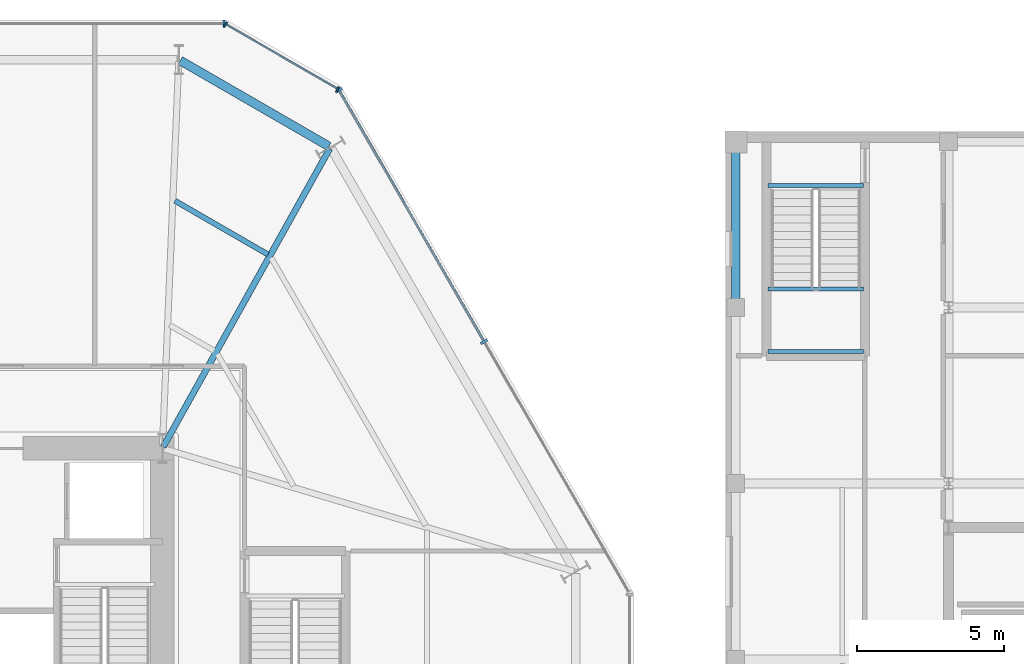
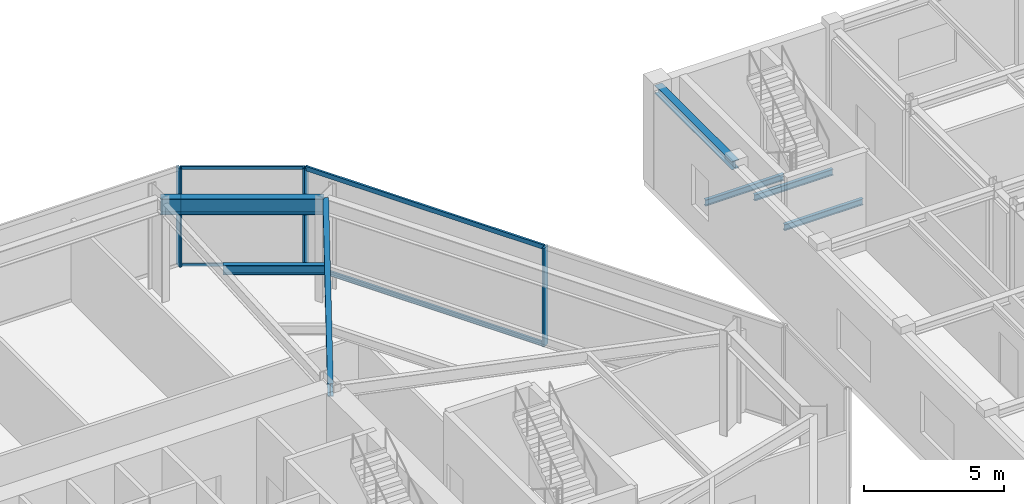
# One storey, part 13 of 23: 9 members, 7 beams, 3 elements without a shape of their own.
"""IFC4 building model written with IfcOpenShell, lengths in metres."""

import ifcopenshell
import ifcopenshell.guid

model = None  # the IFC model being written
_history = None  # IfcOwnerHistory: only IFC2X3 demands one
_inside = {}  # id of a spatial element -> (the spatial element, [elements in it])
_under = {}  # id of a project, library or spatial element -> (it, [spatial elements below it])
_declared = {}  # id of a project -> (the project, [libraries it declares])
_typed = {}  # id of a type object -> (the type object, [elements of that type])
_made_of = {}  # id of a material, layer set ... -> (it, [elements and type objects made of it])


def new_model(schema):
    """Start an empty IFC model of exactly this schema.

    Asked for "IFC4X3", IfcOpenShell would pick the latest addendum, in which some entities
    have other attributes; the version numbers below select the first issue.
    IFC2X3 requires an IfcOwnerHistory on every rooted entity: one is made here for all.
    """
    global model, _history
    if schema == "IFC4X3":
        model = ifcopenshell.file(schema_version=(4, 3, 0, 0))
    else:
        model = ifcopenshell.file(schema=schema)
    _inside.clear()
    _under.clear()
    _declared.clear()
    _typed.clear()
    _made_of.clear()
    _history = None
    if model.schema == "IFC2X3":
        org = make("IfcOrganization", Name="unknown")
        user = make(
            "IfcPersonAndOrganization",
            ThePerson=make("IfcPerson", FamilyName="unknown"),
            TheOrganization=org,
        )
        app = make(
            "IfcApplication",
            ApplicationDeveloper=org,
            Version="unknown",
            ApplicationFullName="unknown",
            ApplicationIdentifier="unknown",
        )
        _history = make(
            "IfcOwnerHistory",
            OwningUser=user,
            OwningApplication=app,
            ChangeAction="ADDED",
            CreationDate=0,
        )
    return model


def make(cls, **values):
    """One entity of the class cls with the attributes given. An attribute that is None is left unset."""
    return model.create_entity(
        cls, **{name: value for name, value in values.items() if value is not None}
    )


def rooted(cls, **values):
    """An entity with a GlobalId (a new one), such as an element, a storey or a relation."""
    return make(cls, GlobalId=ifcopenshell.guid.new(), OwnerHistory=_history, **values)


def si_unit(unit_type, name, prefix=None):
    """IfcSIUnit, for example si_unit("LENGTHUNIT", "METRE", prefix="MILLI")."""
    return make("IfcSIUnit", UnitType=unit_type, Prefix=prefix, Name=name)


def assignment(units):
    """IfcUnitAssignment: the units of a project."""
    return None if units is None else make("IfcUnitAssignment", Units=units)


def point(xyz):
    """IfcCartesianPoint."""
    return None if xyz is None else make("IfcCartesianPoint", Coordinates=xyz)


def direction(xyz):
    """IfcDirection."""
    return None if xyz is None else make("IfcDirection", DirectionRatios=xyz)


def frame(location, z_axis=None, x_axis=None):
    """IfcAxis2Placement3D, a coordinate frame: its origin and axes. An axis left out is left unset."""
    return make(
        "IfcAxis2Placement3D",
        Location=point(location),
        Axis=direction(z_axis),
        RefDirection=direction(x_axis),
    )


def frame_2d(location, x_axis=None):
    """IfcAxis2Placement2D, a coordinate frame in the plane: its origin and x axis."""
    return make(
        "IfcAxis2Placement2D", Location=point(location), RefDirection=direction(x_axis)
    )


def origin():
    """The frame at (0, 0, 0) with its axes left unset."""
    return frame((0.0, 0.0, 0.0))


def origin_2d():
    """The frame at (0, 0) in the plane with its x axis left unset."""
    return frame_2d((0.0, 0.0))


def place(relative_to, where):
    """IfcLocalPlacement: puts the frame where relative to a parent placement (None: the world)."""
    return make(
        "IfcLocalPlacement", PlacementRelTo=relative_to, RelativePlacement=where
    )


def context(
    kind, dimensions, precision=None, world=None, true_north=None, identifier=None
):
    """IfcGeometricRepresentationContext, for example the 3D "Model" context."""
    return make(
        "IfcGeometricRepresentationContext",
        ContextIdentifier=identifier,
        ContextType=kind,
        CoordinateSpaceDimension=dimensions,
        Precision=precision,
        WorldCoordinateSystem=world,
        TrueNorth=true_north,
    )


def subcontext(parent, identifier, kind, view, scale=None):
    """IfcGeometricRepresentationSubContext, for example "Body" below "Model"."""
    return make(
        "IfcGeometricRepresentationSubContext",
        ContextIdentifier=identifier,
        ContextType=kind,
        ParentContext=parent,
        TargetScale=scale,
        TargetView=view,
    )


def project(units=None, contexts=None):
    """IfcProject with its units and contexts."""
    return rooted(
        "IfcProject",
        Name="project",
        RepresentationContexts=contexts,
        UnitsInContext=assignment(units),
    )


def spatial(cls, under=None, at=None, **own):
    """A site, building, storey or space (cls), placed at a placement, below another one or the project."""
    s = rooted(cls, ObjectPlacement=at, **own)
    if under is not None:
        _under.setdefault(under.id(), (under, []))[1].append(s)
    return s


def profile(cls, at=None, kind="AREA", **sizes):
    """A parametric profile (cls). Its sizes go by their IFC names, for example OverallWidth=200.0."""
    return make(cls, ProfileType=kind, Position=at, **sizes)


def rectangle(**sizes):
    """IfcRectangleProfileDef."""
    return profile("IfcRectangleProfileDef", **sizes)


def i_section(**sizes):
    """IfcIShapeProfileDef."""
    return profile("IfcIShapeProfileDef", **sizes)


def extrude(swept, where, along, depth):
    """IfcExtrudedAreaSolid: the profile swept, set in the frame where, extruded along a direction by depth."""
    return make(
        "IfcExtrudedAreaSolid",
        SweptArea=swept,
        Position=where,
        ExtrudedDirection=direction(along),
        Depth=depth,
    )


def shape(context_of_items, identifier, shape_type, items):
    """IfcShapeRepresentation: the items that make up one representation, for example the "Body"."""
    return make(
        "IfcShapeRepresentation",
        ContextOfItems=context_of_items,
        RepresentationIdentifier=identifier,
        RepresentationType=shape_type,
        Items=items,
    )


def material(Name=None, Category=None):
    """IfcMaterial."""
    return make("IfcMaterial", Name=Name, Category=Category)


def layer(
    of_material, thickness, ventilated=None, Name=None, Category=None, Priority=None
):
    """IfcMaterialLayer: one layer of a wall or slab, of a material (None: an air gap)."""
    return make(
        "IfcMaterialLayer",
        Material=of_material,
        LayerThickness=thickness,
        IsVentilated=ventilated,
        Name=Name,
        Category=Category,
        Priority=Priority,
    )


def layer_set(layers, Name=None):
    """IfcMaterialLayerSet."""
    return make("IfcMaterialLayerSet", MaterialLayers=layers, LayerSetName=Name)


def material_profile(
    of_material, cross_section, Name=None, Category=None, Priority=None
):
    """IfcMaterialProfile: a cross section and its material."""
    return make(
        "IfcMaterialProfile",
        Name=Name,
        Material=of_material,
        Profile=cross_section,
        Priority=Priority,
        Category=Category,
    )


def profile_set(profiles, Name=None, composite=None):
    """IfcMaterialProfileSet."""
    return make(
        "IfcMaterialProfileSet",
        Name=Name,
        MaterialProfiles=profiles,
        CompositeProfile=composite,
    )


def made_of(thing, what):
    """Note that an element or type object is made of a material, layer set ...; save() writes the relation."""
    if what is not None:
        _made_of.setdefault(what.id(), (what, []))[1].append(thing)
    return thing


def type_object(cls, material=None, **own):
    """A type object (cls), such as IfcWallType, which elements share."""
    return made_of(rooted(cls, **own), material)


def element(
    cls,
    number,
    at=None,
    inside=None,
    cuts=None,
    type_object=None,
    material=None,
    context=None,
    identifier="Body",
    shape_type=None,
    held_by="IfcProductDefinitionShape",
    body=None,
    shapes=None,
    **own,
):
    """One element of the class cls, such as IfcWall. Its Tag is "e" and its number.

    at: its placement. inside: the storey or other place that contains it. cuts: it is an
    opening in that element (IfcRelVoidsElement). A single representation is given by context,
    identifier, shape_type and body (its items); several are given by shapes. held_by: the class
    of the entity that holds the representations. save() writes the other relations.
    """
    e = rooted(cls, Tag="e%d" % number, ObjectPlacement=at, **own)
    if body is not None:
        shapes = [shape(context, identifier, shape_type, body)]
    if shapes is not None:
        e.Representation = make(held_by, Representations=shapes)
    if inside is not None:
        _inside.setdefault(inside.id(), (inside, []))[1].append(e)
    if cuts is not None:
        rooted(
            "IfcRelVoidsElement", RelatingBuildingElement=cuts, RelatedOpeningElement=e
        )
    if type_object is not None:
        _typed.setdefault(type_object.id(), (type_object, []))[1].append(e)
    return made_of(e, material)


def aggregate(whole, parts):
    """IfcRelAggregates: a whole, such as a stair, and the parts it consists of."""
    return rooted("IfcRelAggregates", RelatingObject=whole, RelatedObjects=parts)


def save(model, path):
    """Write the relations noted so far, then the file.

    IfcRelAggregates (storeys below a building ...), IfcRelContainedInSpatialStructure (elements
    in a storey), IfcRelDefinesByType, IfcRelAssociatesMaterial and IfcRelDeclares: one each for
    every whole, place, type object, material and project.
    """
    for whole, parts in _under.values():
        aggregate(whole, parts)
    for where, things in _inside.values():
        rooted(
            "IfcRelContainedInSpatialStructure",
            RelatedElements=things,
            RelatingStructure=where,
        )
    for kind, things in _typed.values():
        rooted("IfcRelDefinesByType", RelatedObjects=things, RelatingType=kind)
    for what, things in _made_of.values():
        rooted("IfcRelAssociatesMaterial", RelatedObjects=things, RelatingMaterial=what)
    for by, libraries in _declared.values():
        rooted("IfcRelDeclares", RelatingContext=by, RelatedDefinitions=libraries)
    model.write(path)


model = new_model("IFC4")

# Units and contexts
model_context = context("Model", 3, precision=1e-05, world=origin(), true_north=direction((0.0, 1.0)))
body_context = subcontext(model_context, "Body", "Model", "MODEL_VIEW")
ifc_project = project(units=[si_unit("LENGTHUNIT", "METRE"), si_unit("AREAUNIT", "SQUARE_METRE"), si_unit("VOLUMEUNIT", "CUBIC_METRE"), si_unit("PLANEANGLEUNIT", "RADIAN"), si_unit("MASSUNIT", "GRAM", prefix="KILO")], contexts=[model_context])

# Site, building, storey
site_placement = place(None, origin())
site = spatial("IfcSite", under=ifc_project, at=site_placement, CompositionType="ELEMENT")
building_placement = place(site_placement, origin())
building = spatial("IfcBuilding", under=site, at=building_placement, Name="Kranzbogen Civic Tower", CompositionType="ELEMENT")
storey_placement = place(building_placement, frame((0.0, 0.0, 14.39990234375)))
storey = spatial("IfcBuildingStorey", under=building, at=storey_placement, Name="L03", CompositionType="ELEMENT", Elevation=14.39990234375)

# Curtain wall, members
ifc_material_1 = material(Name="Pale Anodised Aluminium", Category="aluminium")
ifc_layer_1 = layer(ifc_material_1, 0.219970703125, Name="Pale Anodised Aluminium")
ifc_layer_set_1 = layer_set([ifc_layer_1], Name="Pale Anodised Aluminium")
curtain_wall_type_1 = type_object("IfcCurtainWallType", Name="Chamfer Facet Stick Curtain Wall System CW-06", PredefinedType="USERDEFINED", material=ifc_layer_set_1)
curtain_wall_1_placement = place(storey_placement, origin())
curtain_wall_1 = element("IfcCurtainWall", 1, at=curtain_wall_1_placement, inside=storey, type_object=curtain_wall_type_1, Name="L03 curtain wall CW-L03-C1", ObjectType="STICK CURTAIN WALL", PredefinedType="USERDEFINED")
ifc_material_profile_1 = material_profile(ifc_material_1, rectangle(XDim=0.06005859375, YDim=0.159912109375, at=origin_2d()), Name="ALU-M 60x160")
ifc_profile_set_1 = profile_set([ifc_material_profile_1], Name="Pale Anodised Aluminium")
member_type_1 = type_object("IfcMemberType", Name="Curtain Wall Mullion ALU-M 60x160", PredefinedType="MULLION", material=ifc_profile_set_1)
member_1_placement = place(storey_placement, frame((38.778076171875, 44.450927734375, 0.0), z_axis=(0.0, 0.0, 1.0), x_axis=(-0.865992001897, 0.500057849305, 0.0)))
member_1 = element("IfcMember", 2, at=member_1_placement, type_object=member_type_1, Name="CW-06 mullion 1", PredefinedType="MULLION", context=body_context, shape_type="SweptSolid", body=[
    extrude(rectangle(XDim=0.06005859375, YDim=0.159912109375, at=origin_2d()), origin(), (0.0, 0.0, 1.0), 4.300048828125),
])
member_2_placement = place(storey_placement, frame((34.9560546875, 46.657958984375, 0.0), z_axis=(0.0, 0.0, 1.0), x_axis=(-0.865992001897, 0.500057849305, 0.0)))
member_2 = element("IfcMember", 3, at=member_2_placement, type_object=member_type_1, Name="CW-06 mullion 2", PredefinedType="MULLION", context=body_context, shape_type="SweptSolid", body=[
    extrude(rectangle(XDim=0.06005859375, YDim=0.159912109375, at=origin_2d()), origin(), (0.0, 0.0, 1.0), 4.300048828125),
])

ifc_layer_2 = layer(ifc_material_1, 0.219970703125, Name="Pale Anodised Aluminium")
ifc_layer_set_2 = layer_set([ifc_layer_2], Name="Pale Anodised Aluminium")
curtain_wall_type_2 = type_object("IfcCurtainWallType", Name="Podium Stick Curtain Wall System CW-01", PredefinedType="USERDEFINED", material=ifc_layer_set_2)
curtain_wall_2_placement = place(storey_placement, origin())
curtain_wall_2 = element("IfcCurtainWall", 4, at=curtain_wall_2_placement, inside=storey, type_object=curtain_wall_type_2, Name="L03 curtain wall CW-L03-F1", ObjectType="STICK CURTAIN WALL", PredefinedType="USERDEFINED")
ifc_material_profile_2 = material_profile(ifc_material_1, rectangle(XDim=0.0849609375, YDim=0.260009765625, at=origin_2d()), Name="ALU-M 85x260")
ifc_profile_set_2 = profile_set([ifc_material_profile_2], Name="Pale Anodised Aluminium")
member_type_2 = type_object("IfcMemberType", Name="Curtain Wall Mullion ALU-M 85x260", PredefinedType="MULLION", material=ifc_profile_set_2)
member_3_placement = place(storey_placement, frame((43.76904296875, 35.83642578125, 0.0), z_axis=(0.0, 0.0, 1.0), x_axis=(-0.500005767433, 0.86602207393, 0.0)))
member_3 = element("IfcMember", 5, at=member_3_placement, type_object=member_type_2, Name="CW-01 mullion 2", PredefinedType="MULLION", context=body_context, shape_type="SweptSolid", body=[
    extrude(rectangle(XDim=0.0849609375, YDim=0.260009765625, at=origin_2d()), origin(), (0.0, 0.0, 1.0), 4.300048828125),
])
member_4_placement = place(storey_placement, frame((38.819091796875, 44.409912109375, 0.0), z_axis=(0.0, 0.0, 1.0), x_axis=(-0.500005767433, 0.86602207393, 0.0)))
member_4 = element("IfcMember", 6, at=member_4_placement, type_object=member_type_2, Name="CW-01 mullion 3", PredefinedType="MULLION", context=body_context, shape_type="SweptSolid", body=[
    extrude(rectangle(XDim=0.0849609375, YDim=0.260009765625, at=origin_2d()), origin(), (0.0, 0.0, 1.0), 4.300048828125),
])

# Curtain wall, member
curtain_wall_3_placement = place(storey_placement, origin())
curtain_wall_3 = element("IfcCurtainWall", 7, at=curtain_wall_3_placement, inside=storey, type_object=curtain_wall_type_2, Name="L03 curtain wall CW-L03-F2", ObjectType="STICK CURTAIN WALL", PredefinedType="USERDEFINED")
member_5_placement = place(storey_placement, frame((34.89990234375, 46.673095703125, 0.0), z_axis=(0.0, 0.0, 1.0), x_axis=(-1.0, 0.0, 0.0)))
member_5 = element("IfcMember", 8, at=member_5_placement, type_object=member_type_2, Name="CW-01 mullion 1", PredefinedType="MULLION", context=body_context, shape_type="SweptSolid", body=[
    extrude(rectangle(XDim=0.0849609375, YDim=0.260009765625, at=origin_2d()), origin(), (0.0, 0.0, 1.0), 4.300048828125),
])
aggregate(curtain_wall_3, [member_5])

# Member
ifc_material_profile_3 = material_profile(ifc_material_1, rectangle(XDim=0.06005859375, YDim=0.1201171875, at=origin_2d()), Name="ALU-T 60x120")
ifc_profile_set_3 = profile_set([ifc_material_profile_3], Name="Pale Anodised Aluminium")
member_type_3 = type_object("IfcMemberType", Name="Curtain Wall Transom ALU-T 60x120", PredefinedType="USERDEFINED", material=ifc_profile_set_3)
member_6_placement = place(storey_placement, frame((38.751953125, 44.466064453125, 0.030029296875), z_axis=(-0.865987588642, 0.500065492029, 0.0), x_axis=(-0.500065492029, -0.865987588642, 0.0)))
member_6 = element("IfcMember", 9, at=member_6_placement, type_object=member_type_3, Name="CW-06 transom 1.1", ObjectType="TRANSOM", PredefinedType="USERDEFINED", context=body_context, shape_type="SweptSolid", body=[
    extrude(rectangle(XDim=0.06005859375, YDim=0.1201171875, at=origin_2d()), origin(), (0.0, 0.0, 1.0), 4.353515625),
])

member_7_placement = place(storey_placement, frame((38.751953125, 44.466064453125, 4.27001953125), z_axis=(-0.865987588642, 0.500065492029, 0.0), x_axis=(-0.500065492029, -0.865987588642, 0.0)))
member_7 = element("IfcMember", 10, at=member_7_placement, type_object=member_type_3, Name="CW-06 transom 1.2", ObjectType="TRANSOM", PredefinedType="USERDEFINED", context=body_context, shape_type="SweptSolid", body=[
    extrude(rectangle(XDim=0.06005859375, YDim=0.1201171875, at=origin_2d()), origin(), (0.0, 0.0, 1.0), 4.353515625),
])

aggregate(curtain_wall_1, [member_1, member_2, member_6, member_7])

ifc_material_profile_4 = material_profile(ifc_material_1, rectangle(XDim=0.0849609375, YDim=0.195068359375, at=origin_2d()), Name="ALU-T 85x195")
ifc_profile_set_4 = profile_set([ifc_material_profile_4], Name="Pale Anodised Aluminium")
member_type_4 = type_object("IfcMemberType", Name="Curtain Wall Transom ALU-T 85x195", PredefinedType="USERDEFINED", material=ifc_profile_set_4)
member_8_placement = place(storey_placement, frame((43.75390625, 35.862548828125, 0.030029296875), z_axis=(-0.500003092839, 0.866023618125, 0.0), x_axis=(-0.866023618125, -0.500003092839, 0.0)))
member_8 = element("IfcMember", 11, at=member_8_placement, type_object=member_type_4, Name="CW-01 transom 2.1", ObjectType="TRANSOM", PredefinedType="USERDEFINED", context=body_context, shape_type="SweptSolid", body=[
    extrude(rectangle(XDim=0.0849609375, YDim=0.195068359375, at=origin_2d()), origin(), (0.0, 0.0, 1.0), 9.83984375),
])

member_9_placement = place(storey_placement, frame((43.75390625, 35.862548828125, 4.27001953125), z_axis=(-0.500003092839, 0.866023618125, 0.0), x_axis=(-0.866023618125, -0.500003092839, 0.0)))
member_9 = element("IfcMember", 12, at=member_9_placement, type_object=member_type_4, Name="CW-01 transom 2.2", ObjectType="TRANSOM", PredefinedType="USERDEFINED", context=body_context, shape_type="SweptSolid", body=[
    extrude(rectangle(XDim=0.0849609375, YDim=0.195068359375, at=origin_2d()), origin(), (0.0, 0.0, 1.0), 9.83984375),
])

aggregate(curtain_wall_2, [member_3, member_4, member_8, member_9])

# Beams
ifc_material_2 = material(Name="Steel S355", Category="steel")
ifc_material_profile_5 = material_profile(ifc_material_2, i_section(OverallWidth=0.300048828125, OverallDepth=0.360107421875, WebThickness=0.012451171875, FlangeThickness=0.0224609375, at=origin_2d()), Name="HEB 360")
ifc_profile_set_5 = profile_set([ifc_material_profile_5], Name="Steel S355")
beam_type_1 = type_object("IfcBeamType", Name="Health Centre Primary Floor Beam HEB 360", PredefinedType="BEAM", material=ifc_profile_set_5)
beam_1_placement = place(storey_placement, frame((52.35009765625, 37.06005859375, 4.1201171875), z_axis=(0.0, 1.0, 0.0), x_axis=(-1.0, 0.0, 0.0)))
element("IfcBeam", 13, at=beam_1_placement, inside=storey, type_object=beam_type_1, Name="L03 Health Centre Y girder 1-6", PredefinedType="BEAM", context=body_context, shape_type="SweptSolid", body=[
    extrude(i_section(OverallWidth=0.300048828125, OverallDepth=0.360107421875, WebThickness=0.012451171875, FlangeThickness=0.0224609375, at=origin_2d()), origin(), (0.0, 0.0, 1.0), 5.530029296875),
])
ifc_material_profile_6 = material_profile(ifc_material_2, i_section(OverallWidth=0.300048828125, OverallDepth=0.699951171875, WebThickness=0.01708984375, FlangeThickness=0.031982421875, at=origin_2d()), Name="HEB 700")
ifc_profile_set_6 = profile_set([ifc_material_profile_6], Name="Steel S355")
beam_type_2 = type_object("IfcBeamType", Name="Perimeter Tube Spandrel Beam HEB 700", PredefinedType="SPANDREL", material=ifc_profile_set_6)
beam_2_placement = place(storey_placement, frame((38.47900390625, 42.493896484375, 3.9501953125), z_axis=(-0.86602927387, 0.499993296755, 0.0), x_axis=(-0.499993296755, -0.86602927387, 0.0)))
element("IfcBeam", 14, at=beam_2_placement, inside=storey, type_object=beam_type_2, Name="L03 perimeter spandrel beam 08", PredefinedType="SPANDREL", context=body_context, shape_type="SweptSolid", body=[
    extrude(i_section(OverallWidth=0.300048828125, OverallDepth=0.699951171875, WebThickness=0.01708984375, FlangeThickness=0.031982421875, at=origin_2d()), origin(), (0.0, 0.0, 1.0), 5.85205078125),
])
ifc_material_profile_7 = material_profile(ifc_material_2, i_section(OverallWidth=0.2099609375, OverallDepth=0.550048828125, WebThickness=0.010986328125, FlangeThickness=0.01708984375, at=origin_2d()), Name="IPE 550")
ifc_profile_set_7 = profile_set([ifc_material_profile_7], Name="Steel S355")
beam_type_3 = type_object("IfcBeamType", Name="Radial Tower Floor Girder IPE 550", PredefinedType="BEAM", material=ifc_profile_set_7)
beam_3_placement = place(storey_placement, frame((38.501953125, 42.412109375, 4.025146484375), z_axis=(-0.487501570266, -0.87312211001, 0.0), x_axis=(0.87312211001, -0.487501570266, 0.0)))
element("IfcBeam", 15, at=beam_3_placement, inside=storey, type_object=beam_type_3, Name="L03 radial floor girder 08", PredefinedType="BEAM", context=body_context, shape_type="SweptSolid", body=[
    extrude(i_section(OverallWidth=0.2099609375, OverallDepth=0.550048828125, WebThickness=0.010986328125, FlangeThickness=0.01708984375, at=origin_2d()), origin(), (0.0, 0.0, 1.0), 11.636474609375),
])
ifc_material_profile_8 = material_profile(ifc_material_2, i_section(OverallWidth=0.179931640625, OverallDepth=0.39990234375, WebThickness=0.008544921875, FlangeThickness=0.013427734375, at=origin_2d()), Name="IPE 400")
ifc_profile_set_8 = profile_set([ifc_material_profile_8], Name="Steel S355")
beam_type_4 = type_object("IfcBeamType", Name="Secondary Composite Floor Joist IPE 400", PredefinedType="JOIST", material=ifc_profile_set_8)
beam_4_placement = place(storey_placement, frame((36.39892578125, 38.80908203125, 4.10009765625), z_axis=(-0.866081244924, 0.499903267833, 0.0), x_axis=(-0.499903267833, -0.866081244924, 0.0)))
element("IfcBeam", 16, at=beam_4_placement, inside=storey, type_object=beam_type_4, Name="L03 secondary floor joist 1.08", PredefinedType="JOIST", context=body_context, shape_type="SweptSolid", body=[
    extrude(i_section(OverallWidth=0.179931640625, OverallDepth=0.39990234375, WebThickness=0.008544921875, FlangeThickness=0.013427734375, at=origin_2d()), origin(), (0.0, 0.0, 1.0), 3.662353515625),
])
ifc_material_profile_9 = material_profile(ifc_material_2, i_section(OverallWidth=0.135009765625, OverallDepth=0.27001953125, WebThickness=0.006591796875, FlangeThickness=0.01025390625, at=origin_2d()), Name="IPE 270")
ifc_profile_set_9 = profile_set([ifc_material_profile_9], Name="Steel S355")
beam_type_5 = type_object("IfcBeamType", Name="Stair Landing Support Beam IPE 270", PredefinedType="JOIST", material=ifc_profile_set_9)
for number, where, z_axis, x_axis, name in (
    (17, (53.449951171875, 41.159912109375, -0.39501953125), (1.0, 0.0, 0.0), (0.0, 1.0, 0.0), "L03 ST-H2 stair floor header beam"),
    (18, (53.449951171875, 37.639892578125, 1.965087890625), (1.0, 0.0, 0.0), (0.0, 1.0, 0.0), "L03 ST-H2 landing support beam 1.1"),
    (19, (53.449951171875, 35.5, 1.965087890625), (1.0, 0.0, 0.0), (0.0, 1.0, 0.0), "L03 ST-H2 landing support beam 1.2"),
):
    element("IfcBeam", number, at=place(storey_placement, frame(where, z_axis=z_axis, x_axis=x_axis)), inside=storey, type_object=beam_type_5, Name=name, PredefinedType="JOIST", context=body_context, shape_type="SweptSolid", body=[
        extrude(i_section(OverallWidth=0.135009765625, OverallDepth=0.27001953125, WebThickness=0.006591796875, FlangeThickness=0.01025390625, at=origin_2d()), origin(), (0.0, 0.0, 1.0), 3.25),
    ])

save(model, "model.ifc")
